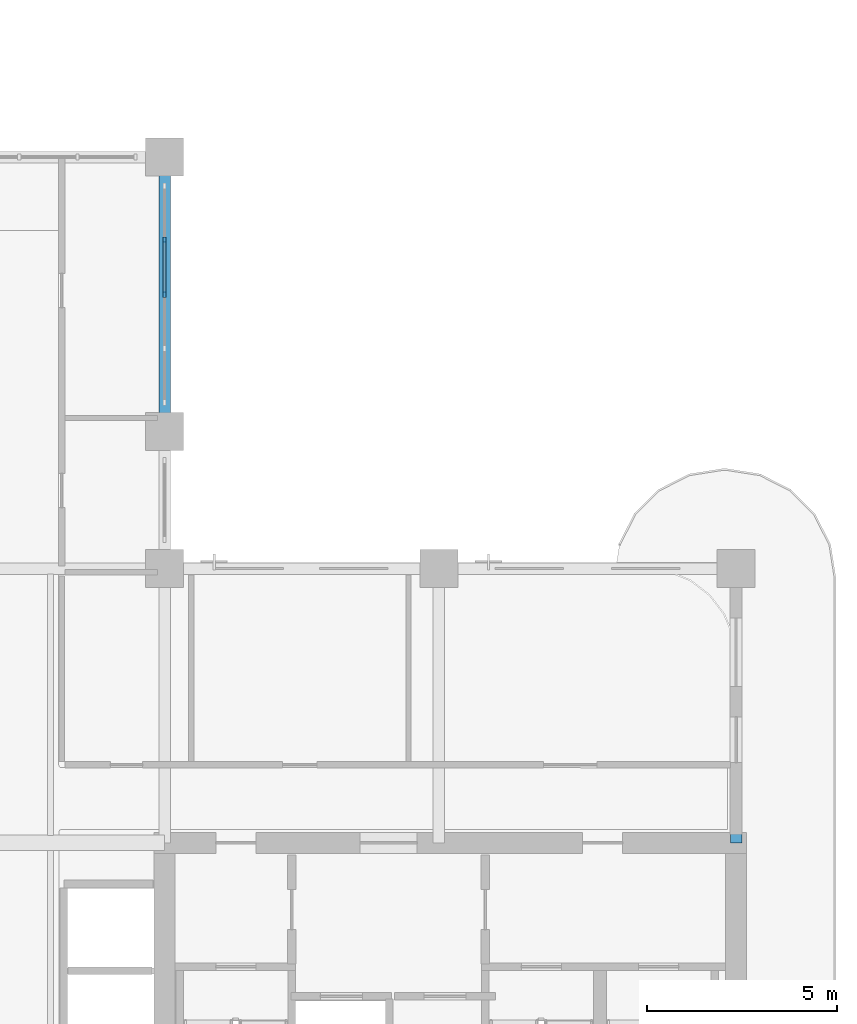
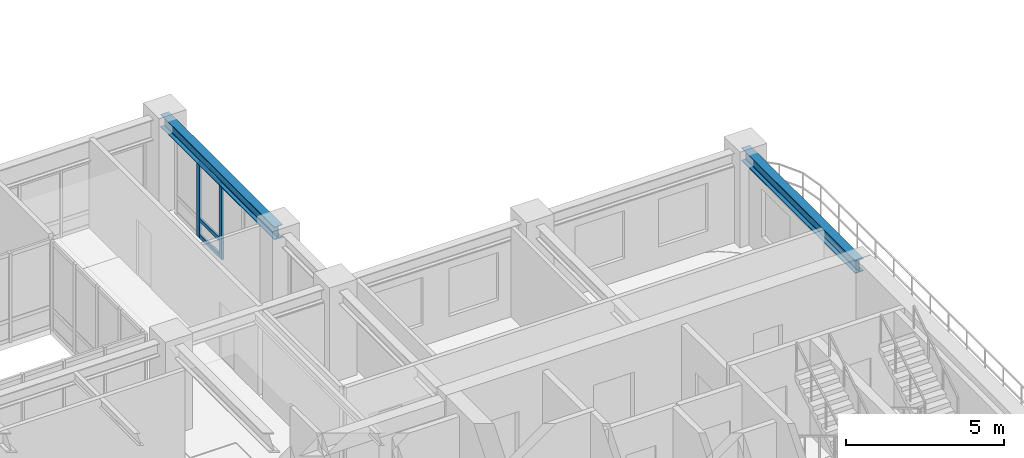
# One storey, part 4 of 20: 5 members, 2 beams, 1 element without a shape of its own.
"""IFC4 building model written with IfcOpenShell, lengths in metres."""

from ifc_helpers import new_model, si_unit, derived_unit, direction, frame, origin, origin_2d, place, context, subcontext, project, spatial, rectangle, i_section, extrude, source, transform, mapped, material, layer, layer_set, material_profile, profile_set, type_object, type_shapes, element, aggregate, save


model = new_model("IFC4")

# Units and contexts
model_context = context("Model", 3, precision=1e-05, world=origin(), true_north=direction((0.0, 1.0)))
body_context = subcontext(model_context, "Body", "Model", "MODEL_VIEW")
ifc_project = project(units=[si_unit("LENGTHUNIT", "METRE"), si_unit("AREAUNIT", "SQUARE_METRE"), si_unit("VOLUMEUNIT", "CUBIC_METRE"), si_unit("PLANEANGLEUNIT", "RADIAN"), si_unit("MASSUNIT", "GRAM", prefix="KILO"), si_unit("THERMODYNAMICTEMPERATUREUNIT", "KELVIN"), si_unit("POWERUNIT", "WATT"), derived_unit("THERMALTRANSMITTANCEUNIT", [(si_unit("POWERUNIT", "WATT"), 1), (si_unit("AREAUNIT", "SQUARE_METRE"), -1), (si_unit("THERMODYNAMICTEMPERATUREUNIT", "KELVIN"), -1)])], contexts=[model_context])

# Site, building, storey
site_placement = place(None, origin())
site = spatial("IfcSite", under=ifc_project, at=site_placement, CompositionType="ELEMENT")
building_placement = place(site_placement, origin())
building = spatial("IfcBuilding", under=site, at=building_placement, Name="Zahravan Archway Hotel and Residences", CompositionType="ELEMENT")
storey_placement = place(building_placement, frame((0.0, 0.0, 122.89990234375)))
storey = spatial("IfcBuildingStorey", under=building, at=storey_placement, Name="L30", CompositionType="ELEMENT", Elevation=122.89990234375)

# Beams
ifc_material_1 = material(Name="Structural Steel S355JR", Category="steel")
ifc_material_profile_1 = material_profile(ifc_material_1, i_section(OverallWidth=0.300048828125, OverallDepth=0.5, WebThickness=0.014404296875, FlangeThickness=0.028076171875, FilletRadius=0.027099609375, at=origin_2d()), Name="HEB 500", Category="steel")
ifc_profile_set_1 = profile_set([ifc_material_profile_1], Name="Structural Steel S355JR")
beam_type = type_object("IfcBeamType", Name="BM-PRI-HEB500", PredefinedType="BEAM", material=ifc_profile_set_1)
shared_shape_1 = source(origin(), body_context, "Body", "SweptSolid", [
    extrude(i_section(OverallWidth=0.300048828125, OverallDepth=0.5, WebThickness=0.014404296875, FlangeThickness=0.028076171875, FilletRadius=0.027099609375, at=origin_2d()), origin(), (0.0, 0.0, 1.0), 7.2001953125),
])
type_shapes(beam_type, [shared_shape_1])
beam_1_placement = place(storey_placement, frame((49.800048828125, 14.39990234375, 3.2001953125), z_axis=(0.0, 1.0, 0.0), x_axis=(-1.0, 0.0, 0.0)))
element("IfcBeam", 1, at=beam_1_placement, inside=storey, type_object=beam_type, Name="L30 Primary Girder NS-45", PredefinedType="BEAM", context=body_context, shape_type="MappedRepresentation", body=[
    mapped(shared_shape_1, transform((0.0, 0.0, 0.0), scale=1.0)),
])
shared_shape_2 = source(origin(), body_context, "Body", "SweptSolid", [
    extrude(i_section(OverallWidth=0.300048828125, OverallDepth=0.5, WebThickness=0.014404296875, FlangeThickness=0.028076171875, FilletRadius=0.027099609375, at=origin_2d()), origin(), (0.0, 0.0, 1.0), 7.199951171875),
])
beam_2_placement = place(storey_placement, frame((34.800048828125, 25.199951171875, 3.2001953125), z_axis=(0.0, 1.0, 0.0), x_axis=(-1.0, 0.0, 0.0)))
element("IfcBeam", 2, at=beam_2_placement, inside=storey, type_object=beam_type, Name="L30 Primary Girder NS-43", PredefinedType="BEAM", context=body_context, shape_type="MappedRepresentation", body=[
    mapped(shared_shape_2, transform((0.0, 0.0, 0.0), scale=1.0)),
])

# Curtain wall, members
ifc_material_2 = material(Name="Bronze-Anodized Unitised Aluminium & Low-E Glass", Category="aluminium")
ifc_layer = layer(ifc_material_2, 0.179931640625, Name="Bronze-Anodized Unitised Aluminium & Low-E Glass", Category="aluminium")
ifc_layer_set = layer_set([ifc_layer], Name="Bronze-Anodized Unitised Aluminium & Low-E Glass")
curtain_wall_type = type_object("IfcCurtainWallType", Name="CW-TWR-FEAT", PredefinedType="NOTDEFINED", material=ifc_layer_set)
curtain_wall_placement = place(storey_placement, origin())
curtain_wall = element("IfcCurtainWall", 3, at=curtain_wall_placement, inside=storey, type_object=curtain_wall_type, Name="L30 Curtain Wall CW-L30-HNG-E-2", PredefinedType="NOTDEFINED")
ifc_material_3 = material(Name="Bronze-Anodized Extruded Aluminium", Category="aluminium")
ifc_material_profile_2 = material_profile(ifc_material_3, rectangle(XDim=0.080078125, YDim=0.139892578125, at=origin_2d()), Name="TRN 80x140", Category="aluminium")
ifc_profile_set_2 = profile_set([ifc_material_profile_2], Name="Bronze-Anodized Extruded Aluminium")
member_type_1 = type_object("IfcMemberType", Name="CWM-TRN-140", PredefinedType="USERDEFINED", material=ifc_profile_set_2)
shared_shape_3 = source(origin(), body_context, "Body", "SweptSolid", [
    extrude(rectangle(XDim=0.080078125, YDim=0.139892578125, at=origin_2d()), origin(), (0.0, 0.0, 1.0), 1.33984375),
])
member_1_placement = place(storey_placement, frame((34.800048828125, 28.840087890625, 0.070068359375), z_axis=(0.0, 1.0, 0.0), x_axis=(-1.0, 0.0, 0.0)))
member_1 = element("IfcMember", 4, at=member_1_placement, type_object=member_type_1, Name="CW-L30-HNG-E-2 Transom 2-1", ObjectType="TRANSOM", PredefinedType="USERDEFINED", context=body_context, shape_type="MappedRepresentation", body=[
    mapped(shared_shape_3, transform((0.0, 0.0, 0.0), scale=1.0)),
])
member_2_placement = place(storey_placement, frame((34.800048828125, 28.840087890625, 0.70458984375), z_axis=(0.0, 1.0, 0.0), x_axis=(-1.0, 0.0, 0.0)))
member_2 = element("IfcMember", 5, at=member_2_placement, type_object=member_type_1, Name="CW-L30-HNG-E-2 Transom 2-2", ObjectType="TRANSOM", PredefinedType="USERDEFINED", context=body_context, shape_type="MappedRepresentation", body=[
    mapped(shared_shape_3, transform((0.0, 0.0, 0.0), scale=1.0)),
])
member_3_placement = place(storey_placement, frame((34.800048828125, 28.840087890625, 2.864990234375), z_axis=(0.0, 1.0, 0.0), x_axis=(-1.0, 0.0, 0.0)))
member_3 = element("IfcMember", 6, at=member_3_placement, type_object=member_type_1, Name="CW-L30-HNG-E-2 Transom 2-3", ObjectType="TRANSOM", PredefinedType="USERDEFINED", context=body_context, shape_type="MappedRepresentation", body=[
    mapped(shared_shape_3, transform((0.0, 0.0, 0.0), scale=1.0)),
])
ifc_material_profile_3 = material_profile(ifc_material_3, rectangle(XDim=0.080078125, YDim=0.159912109375, at=origin_2d()), Name="MUL 80x160", Category="aluminium")
ifc_profile_set_3 = profile_set([ifc_material_profile_3], Name="Bronze-Anodized Extruded Aluminium")
member_type_2 = type_object("IfcMemberType", Name="CWM-MUL-160", PredefinedType="MULLION", material=ifc_profile_set_3)
shared_shape_4 = source(origin(), body_context, "Body", "SweptSolid", [
    extrude(rectangle(XDim=0.080078125, YDim=0.159912109375, at=origin_2d()), origin(), (0.0, 0.0, 1.0), 2.93505859375),
])
member_4_placement = place(storey_placement, frame((34.800048828125, 28.800048828125, 0.0), z_axis=(0.0, 0.0, 1.0), x_axis=(1.0, 0.0, 0.0)))
member_4 = element("IfcMember", 7, at=member_4_placement, type_object=member_type_2, Name="CW-L30-HNG-E-2 Mullion 2", PredefinedType="MULLION", context=body_context, shape_type="MappedRepresentation", body=[
    mapped(shared_shape_4, transform((0.0, 0.0, 0.0), scale=1.0)),
])
member_5_placement = place(storey_placement, frame((34.800048828125, 30.219970703125, 0.0), z_axis=(0.0, 0.0, 1.0), x_axis=(1.0, 0.0, 0.0)))
member_5 = element("IfcMember", 8, at=member_5_placement, type_object=member_type_2, Name="CW-L30-HNG-E-2 Mullion 3", PredefinedType="MULLION", context=body_context, shape_type="MappedRepresentation", body=[
    mapped(shared_shape_4, transform((0.0, 0.0, 0.0), scale=1.0)),
])
aggregate(curtain_wall, [member_4, member_5, member_1, member_2, member_3])

save(model, "model.ifc")
